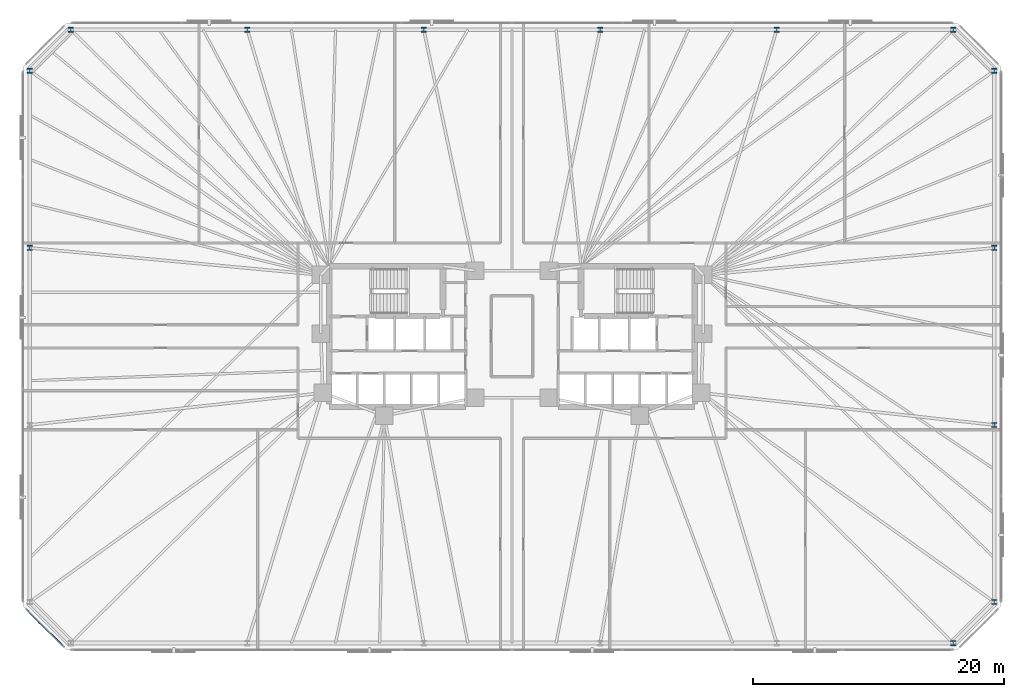
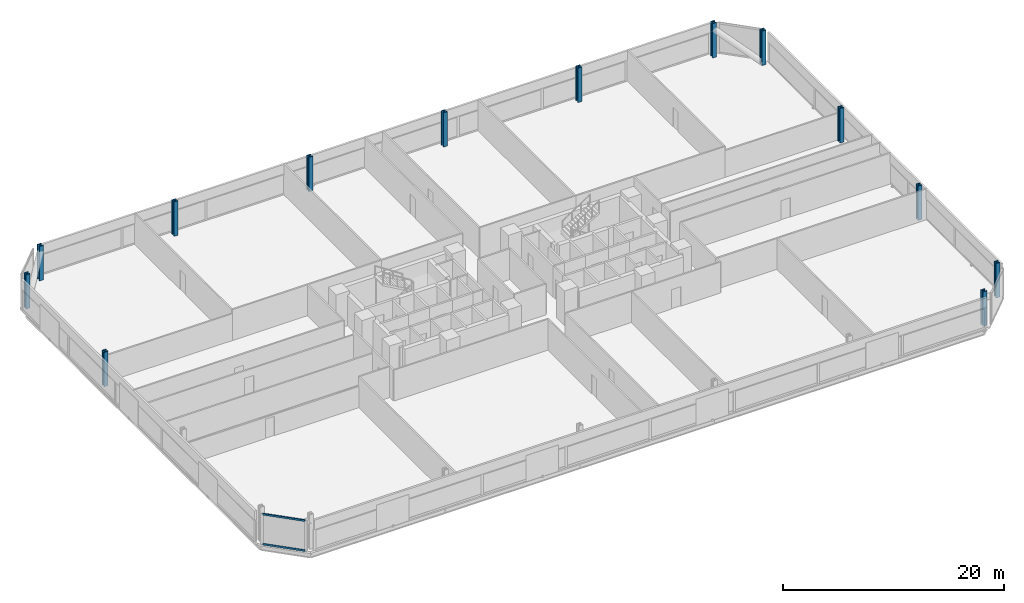
# One storey, part 5 of 17: 13 columns, 2 members, 1 element without a shape of its own.
"""IFC4 building model written with IfcOpenShell, lengths in metres."""

from ifc_helpers import new_model, si_unit, direction, frame, origin, origin_2d, place, context, subcontext, project, spatial, rectangle, i_section, extrude, material, material_profile, profile_set, type_object, element, aggregate, save


model = new_model("IFC4")

# Units and contexts
model_context = context("Model", 3, precision=1e-05, world=origin(), true_north=direction((0.0, 1.0)))
body_context = subcontext(model_context, "Body", "Model", "MODEL_VIEW")
ifc_project = project(units=[si_unit("LENGTHUNIT", "METRE"), si_unit("AREAUNIT", "SQUARE_METRE"), si_unit("VOLUMEUNIT", "CUBIC_METRE"), si_unit("PLANEANGLEUNIT", "RADIAN"), si_unit("MASSUNIT", "GRAM", prefix="KILO")], contexts=[model_context])

# Site, building, storey
site_placement = place(None, origin())
site = spatial("IfcSite", under=ifc_project, at=site_placement, CompositionType="ELEMENT")
building_placement = place(site_placement, origin())
building = spatial("IfcBuilding", under=site, at=building_placement, Name="Menara Jurai Vektor", CompositionType="ELEMENT")
storey_placement = place(building_placement, frame((0.0, 0.0, 75.0)))
storey = spatial("IfcBuildingStorey", under=building, at=storey_placement, Name="L18", CompositionType="ELEMENT", Elevation=75.0)

# Columns
ifc_material_1 = material(Name="Steel S460", Category="steel")
ifc_material_profile_1 = material_profile(ifc_material_1, i_section(OverallWidth=0.419921875, OverallDepth=0.430908203125, WebThickness=0.06494140625, FlangeThickness=0.10595703125, FilletRadius=0.014892578125, at=origin_2d()), Name="HD 400x900")
ifc_profile_set_1 = profile_set([ifc_material_profile_1], Name="Steel S460")
column_type = type_object("IfcColumnType", Name="STR-EXO-BLK1", PredefinedType="COLUMN", material=ifc_profile_set_1)
for number, where, z_axis, x_axis, name in (
    (1, (35.177734375, -24.449951171875, 0.0), (0.0, 0.0, 1.0), (1.0, 0.0, 0.0), "Exoskeleton Column BLK1-S6 L18"),
    (2, (38.449951171875, -21.177734375, 0.0), (0.0, 0.0, 1.0), (1.0, 0.0, 0.0), "Exoskeleton Column BLK1-E1 L18"),
    (3, (38.449951171875, -7.059326171875, 0.0), (0.0, 0.0, 1.0), (1.0, 0.0, 0.0), "Exoskeleton Column BLK1-E2 L18"),
    (4, (38.449951171875, 7.059326171875, 0.0), (0.0, 0.0, 1.0), (1.0, 0.0, 0.0), "Exoskeleton Column BLK1-E3 L18"),
    (5, (38.449951171875, 21.177734375, 0.0), (0.0, 0.0, 1.0), (1.0, 0.0, 0.0), "Exoskeleton Column BLK1-E4 L18"),
    (6, (35.177734375, 24.449951171875, 0.0), (0.0, 0.0, 1.0), (1.0, 0.0, 0.0), "Exoskeleton Column BLK1-N1 L18"),
    (7, (21.106689453125, 24.449951171875, 0.0), (0.0, 0.0, 1.0), (1.0, 0.0, 0.0), "Exoskeleton Column BLK1-N2 L18"),
    (8, (7.03564453125, 24.449951171875, 0.0), (0.0, 0.0, 1.0), (1.0, 0.0, 0.0), "Exoskeleton Column BLK1-N3 L18"),
    (9, (-7.03564453125, 24.449951171875, 0.0), (0.0, 0.0, 1.0), (1.0, 0.0, 0.0), "Exoskeleton Column BLK1-N4 L18"),
    (10, (-21.106689453125, 24.449951171875, 0.0), (0.0, 0.0, 1.0), (1.0, 0.0, 0.0), "Exoskeleton Column BLK1-N5 L18"),
    (11, (-35.177734375, 24.449951171875, 0.0), (0.0, 0.0, 1.0), (1.0, 0.0, 0.0), "Exoskeleton Column BLK1-N6 L18"),
    (12, (-38.449951171875, 21.177734375, 0.0), (0.0, 0.0, 1.0), (1.0, 0.0, 0.0), "Exoskeleton Column BLK1-W1 L18"),
    (13, (-38.449951171875, 7.059326171875, 0.0), (0.0, 0.0, 1.0), (1.0, 0.0, 0.0), "Exoskeleton Column BLK1-W2 L18"),
):
    element("IfcColumn", number, at=place(storey_placement, frame(where, z_axis=z_axis, x_axis=x_axis)), inside=storey, type_object=column_type, Name=name, PredefinedType="COLUMN", context=body_context, shape_type="SweptSolid", body=[
        extrude(i_section(OverallWidth=0.419921875, OverallDepth=0.430908203125, WebThickness=0.06494140625, FlangeThickness=0.10595703125, FilletRadius=0.014892578125, at=origin_2d()), origin(), (0.0, 0.0, 1.0), 3.800048828125),
    ])

# Curtain wall, members
ifc_material_2 = material(Name="Anodised Pale Aluminium & Low-E Double Glazing", Category="aluminium")
curtain_wall_type = type_object("IfcCurtainWallType", Name="CW-BLK1", PredefinedType="NOTDEFINED", material=ifc_material_2)
curtain_wall_placement = place(storey_placement, origin())
curtain_wall = element("IfcCurtainWall", 14, at=curtain_wall_placement, inside=storey, type_object=curtain_wall_type, Name="Unitised Curtain Wall L18 F08", PredefinedType="NOTDEFINED")
ifc_material_3 = material(Name="Anodised Pale Aluminium Transom", Category="aluminium")
ifc_material_profile_2 = material_profile(ifc_material_3, rectangle(XDim=0.094970703125, YDim=0.199951171875, at=origin_2d()), Name="ALU TRN 95x200")
ifc_profile_set_2 = profile_set([ifc_material_profile_2], Name="Anodised Pale Aluminium Transom")
member_type = type_object("IfcMemberType", Name="CW-BLK1-TRN", PredefinedType="USERDEFINED", material=ifc_profile_set_2)
member_1_placement = place(storey_placement, frame((-38.6640625, -21.8359375, 0.047607421875), z_axis=(0.707106781187, -0.707106781187, 0.0), x_axis=(0.707106781187, 0.707106781187, 0.0)))
member_1 = element("IfcMember", 15, at=member_1_placement, type_object=member_type, Name="CW-01 transom 1.1", ObjectType="TRANSOM", PredefinedType="USERDEFINED", context=body_context, shape_type="SweptSolid", body=[
    extrude(rectangle(XDim=0.094970703125, YDim=0.199951171875, at=origin_2d()), origin(), (0.0, 0.0, 1.0), 3.99951171875),
])
member_2_placement = place(storey_placement, frame((-38.6640625, -21.8359375, 3.347412109375), z_axis=(0.707106781187, -0.707106781187, 0.0), x_axis=(0.707106781187, 0.707106781187, 0.0)))
member_2 = element("IfcMember", 16, at=member_2_placement, type_object=member_type, Name="CW-01 transom 1.2", ObjectType="TRANSOM", PredefinedType="USERDEFINED", context=body_context, shape_type="SweptSolid", body=[
    extrude(rectangle(XDim=0.094970703125, YDim=0.199951171875, at=origin_2d()), origin(), (0.0, 0.0, 1.0), 3.99951171875),
])
aggregate(curtain_wall, [member_1, member_2])

save(model, "model.ifc")
